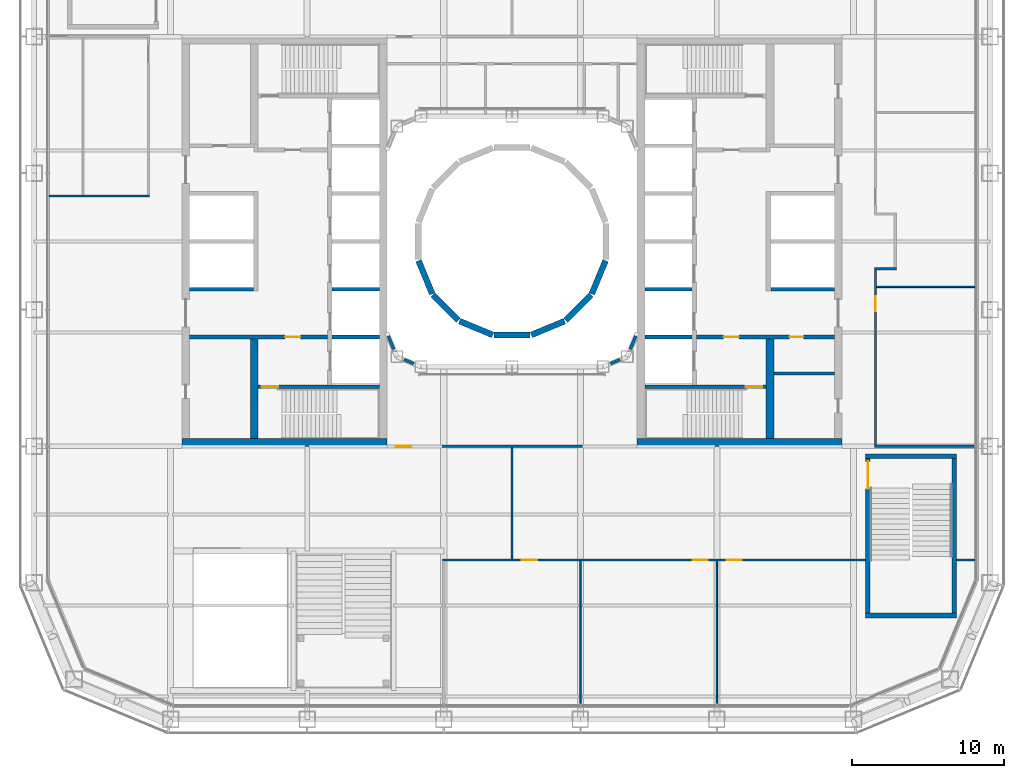
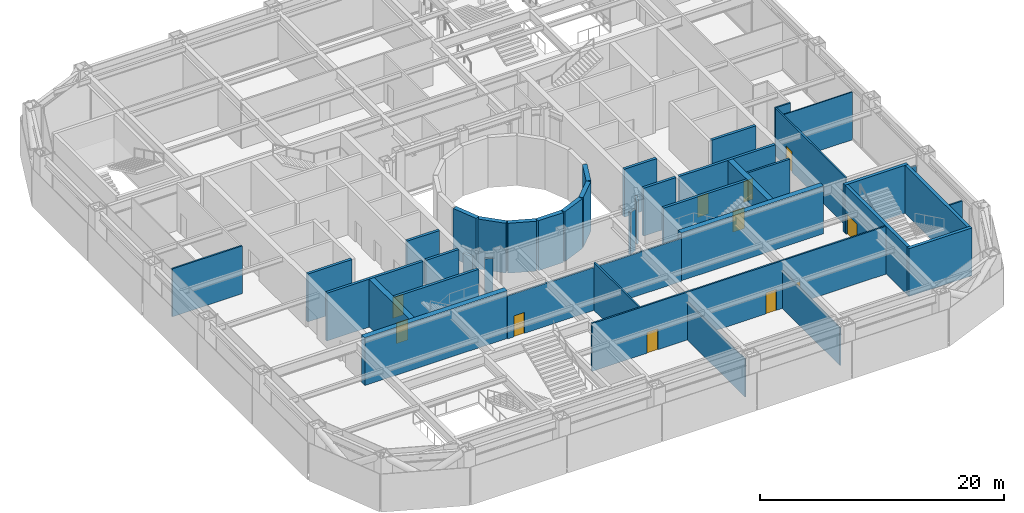
# One storey, part 12 of 25: 41 walls, 11 doors, 11 openings.
"""IFC4 building model written with IfcOpenShell, lengths in metres."""

from ifc_helpers import new_model, si_unit, direction, frame, frame_2d, origin, place, context, subcontext, project, spatial, rectangle, extrude, material, layer, layer_set, type_object, element, fill, save


model = new_model("IFC4")

# Units and contexts
model_context = context("Model", 3, precision=1e-05, world=origin(), true_north=direction((0.0, 1.0)))
body_context = subcontext(model_context, "Body", "Model", "MODEL_VIEW")
ifc_project = project(units=[si_unit("LENGTHUNIT", "METRE"), si_unit("AREAUNIT", "SQUARE_METRE"), si_unit("VOLUMEUNIT", "CUBIC_METRE"), si_unit("PLANEANGLEUNIT", "RADIAN"), si_unit("MASSUNIT", "GRAM", prefix="KILO")], contexts=[model_context])

# Site, building, storey
site_placement = place(None, origin())
site = spatial("IfcSite", under=ifc_project, at=site_placement, CompositionType="ELEMENT")
building_placement = place(site_placement, origin())
building = spatial("IfcBuilding", under=site, at=building_placement, Name="Siwar Civic Tower", CompositionType="ELEMENT")
storey_placement = place(building_placement, frame((0.0, 0.0, 7.199951171875)))
storey = spatial("IfcBuildingStorey", under=building, at=storey_placement, Name="L01", CompositionType="ELEMENT", Elevation=7.199951171875)

# Wall
ifc_material_1 = material(Name="Gypsum board on steel studs", Category="steel")
ifc_layer_1 = layer(ifc_material_1, 0.199951171875)
ifc_layer_set_1 = layer_set([ifc_layer_1], Name="Gypsum board on steel studs")
wall_type_1 = type_object("IfcWallType", Name="CORE-PARTITION-200", PredefinedType="PARTITIONING", material=ifc_layer_set_1)
wall_1_placement = place(storey_placement, frame((17.25, -8.699951171875, 0.0), z_axis=(0.0, 0.0, 1.0), x_axis=(1.0, 0.0, 0.0)))
element("IfcWall", 1, at=wall_1_placement, inside=storey, type_object=wall_type_1, Name="Core partition E", PredefinedType="PARTITIONING", context=body_context, shape_type="SweptSolid", body=[
    extrude(rectangle(XDim=4.0, YDim=0.199951171875, at=frame_2d((2.0, 0.0))), origin(), (0.0, 0.0, 1.0), 4.800048828125),
])

# Wall, opening, door
ifc_material_2 = material(Name="Concrete C60/75", Category="concrete")
ifc_layer_2 = layer(ifc_material_2, 0.25)
ifc_layer_set_2 = layer_set([ifc_layer_2], Name="Concrete C60/75")
wall_type_2 = type_object("IfcWallType", Name="CORE-WALL-RC250", PredefinedType="SHEAR", material=ifc_layer_set_2)
wall_2_placement = place(storey_placement, frame((-12.14990234375, -6.300048828125, 0.0), z_axis=(0.0, 0.0, 1.0), x_axis=(-1.0, 0.0, 0.0)))
wall_2 = element("IfcWall", 2, at=wall_2_placement, inside=storey, type_object=wall_type_2, Name="Core wall W", PredefinedType="SHEAR", context=body_context, shape_type="SweptSolid", body=[
    extrude(rectangle(XDim=9.10009765625, YDim=0.25, at=frame_2d((4.550048828125, 0.0))), origin(), (0.0, 0.0, 1.0), 4.800048828125),
])
opening_1_placement = place(wall_2_placement, frame((1.800048828125, 0.0, 0.0)))
opening_1 = element("IfcOpeningElement", 3, at=opening_1_placement, cuts=wall_2, Name="Opening L01-CW02", PredefinedType="OPENING", context=body_context, shape_type="SweptSolid", body=[
    extrude(rectangle(XDim=1.0, YDim=2.10009765625, at=frame_2d((0.5, 1.050048828125))), frame((0.0, 0.135009765625, 0.0), z_axis=(0.0, -1.0, 0.0), x_axis=(1.0, 0.0, 0.0)), (0.0, 0.0, 1.0), 0.27001953125),
])
ifc_material_3 = material(Name="Steel door leaf", Category="steel")
door_type_1 = type_object("IfcDoorType", Name="CORE-DOOR-FD30S", OperationType="SINGLE_SWING_LEFT", PredefinedType="DOOR", material=ifc_material_3)
door_1_placement = place(opening_1_placement, origin())
door_1 = element("IfcDoor", 4, at=door_1_placement, inside=storey, type_object=door_type_1, Name="Service lobby door L01-CW02", OperationType="SINGLE_SWING_RIGHT", OverallHeight=2.10009765625, OverallWidth=1.0, PredefinedType="DOOR", context=body_context, shape_type="SweptSolid", body=[
    extrude(rectangle(XDim=1.0, YDim=2.10009765625, at=frame_2d((0.5, 1.050048828125))), frame((0.0, 0.02490234375, 0.0), z_axis=(0.0, -1.0, 0.0), x_axis=(1.0, 0.0, 0.0)), (0.0, 0.0, 1.0), 0.050048828125),
])
fill(opening_1, door_1)

# Walls
wall_3_placement = place(storey_placement, frame((-17.050048828125, -3.14990234375, 0.0), z_axis=(0.0, 0.0, 1.0), x_axis=(-1.0, 0.0, 0.0)))
element("IfcWall", 5, at=wall_3_placement, inside=storey, type_object=wall_type_2, Name="Core wall W", PredefinedType="SHEAR", context=body_context, shape_type="SweptSolid", body=[
    extrude(rectangle(XDim=4.199951171875, YDim=0.25, at=frame_2d((2.10009765625, 0.0))), origin(), (0.0, 0.0, 1.0), 4.800048828125),
])
for number, where, z_axis, x_axis, name in (
    (6, (-8.75, -3.14990234375, 0.0), (0.0, 0.0, 1.0), (-1.0, 0.0, 0.0), "Core wall W"),
    (7, (-8.75, -6.300048828125, 0.0), (0.0, 0.0, 1.0), (-1.0, 0.0, 0.0), "Core wall W"),
):
    element("IfcWall", number, at=place(storey_placement, frame(where, z_axis=z_axis, x_axis=x_axis)), inside=storey, type_object=wall_type_2, Name=name, PredefinedType="SHEAR", context=body_context, shape_type="SweptSolid", body=[
        extrude(rectangle(XDim=3.10009765625, YDim=0.25, at=frame_2d((1.550048828125, 0.0))), origin(), (0.0, 0.0, 1.0), 4.800048828125),
    ])

# Wall, opening, door
wall_4_placement = place(storey_placement, frame((-8.75, -9.574951171875, 0.0), z_axis=(0.0, 0.0, 1.0), x_axis=(-1.0, 0.0, 0.0)))
wall_4 = element("IfcWall", 8, at=wall_4_placement, inside=storey, type_object=wall_type_2, Name="Core wall W", PredefinedType="SHEAR", context=body_context, shape_type="SweptSolid", body=[
    extrude(rectangle(XDim=8.0, YDim=0.25, at=frame_2d((4.0, 0.0))), origin(), (0.0, 0.0, 1.0), 4.800048828125),
])
opening_2_placement = place(wall_4_placement, frame((6.64990234375, 0.0, 0.0)))
opening_2 = element("IfcOpeningElement", 9, at=opening_2_placement, cuts=wall_4, Name="Opening L01-CW04", PredefinedType="OPENING", context=body_context, shape_type="SweptSolid", body=[
    extrude(rectangle(XDim=1.10009765625, YDim=2.10009765625, at=frame_2d((0.550048828125, 1.050048828125))), frame((0.0, 0.135009765625, 0.0), z_axis=(0.0, -1.0, 0.0), x_axis=(1.0, 0.0, 0.0)), (0.0, 0.0, 1.0), 0.27001953125),
])
ifc_material_4 = material(Name="Steel door leaf", Category="steel")
door_type_2 = type_object("IfcDoorType", Name="CORE-DOOR-FD60S", OperationType="SINGLE_SWING_LEFT", PredefinedType="DOOR", material=ifc_material_4)
door_2_placement = place(opening_2_placement, origin())
door_2 = element("IfcDoor", 10, at=door_2_placement, inside=storey, type_object=door_type_2, Name="Stair door L01-CW04", OperationType="SINGLE_SWING_LEFT", OverallHeight=2.10009765625, OverallWidth=1.10009765625, PredefinedType="DOOR", context=body_context, shape_type="SweptSolid", body=[
    extrude(rectangle(XDim=1.10009765625, YDim=2.10009765625, at=frame_2d((0.550048828125, 1.050048828125))), frame((0.0, 0.02490234375, 0.0), z_axis=(0.0, -1.0, 0.0), x_axis=(1.0, 0.0, 0.0)), (0.0, 0.0, 1.0), 0.050048828125),
])
fill(opening_2, door_2)

# Wall, openings, doors
wall_5_placement = place(storey_placement, frame((12.14990234375, -6.300048828125, 0.0), z_axis=(0.0, 0.0, 1.0), x_axis=(1.0, 0.0, 0.0)))
wall_5 = element("IfcWall", 11, at=wall_5_placement, inside=storey, type_object=wall_type_2, Name="Core wall E", PredefinedType="SHEAR", context=body_context, shape_type="SweptSolid", body=[
    extrude(rectangle(XDim=9.10009765625, YDim=0.25, at=frame_2d((4.550048828125, 0.0))), origin(), (0.0, 0.0, 1.0), 4.800048828125),
])
opening_3_placement = place(wall_5_placement, frame((1.800048828125, 0.0, 0.0)))
opening_3 = element("IfcOpeningElement", 12, at=opening_3_placement, cuts=wall_5, Name="Opening L01-CE02", PredefinedType="OPENING", context=body_context, shape_type="SweptSolid", body=[
    extrude(rectangle(XDim=1.0, YDim=2.10009765625, at=frame_2d((0.5, 1.050048828125))), frame((0.0, 0.135009765625, 0.0), z_axis=(0.0, -1.0, 0.0), x_axis=(1.0, 0.0, 0.0)), (0.0, 0.0, 1.0), 0.27001953125),
])
opening_4_placement = place(wall_5_placement, frame((6.14990234375, 0.0, 0.0)))
opening_4 = element("IfcOpeningElement", 13, at=opening_4_placement, cuts=wall_5, Name="Opening L01-CE14", PredefinedType="OPENING", context=body_context, shape_type="SweptSolid", body=[
    extrude(rectangle(XDim=0.89990234375, YDim=2.10009765625, at=frame_2d((0.449951171875, 1.050048828125))), frame((0.0, 0.135009765625, 0.0), z_axis=(0.0, -1.0, 0.0), x_axis=(1.0, 0.0, 0.0)), (0.0, 0.0, 1.0), 0.27001953125),
])
door_3_placement = place(opening_3_placement, origin())
door_3 = element("IfcDoor", 14, at=door_3_placement, inside=storey, type_object=door_type_1, Name="Service lobby door L01-CE02", OperationType="SINGLE_SWING_LEFT", OverallHeight=2.10009765625, OverallWidth=1.0, PredefinedType="DOOR", context=body_context, shape_type="SweptSolid", body=[
    extrude(rectangle(XDim=1.0, YDim=2.10009765625, at=frame_2d((0.5, 1.050048828125))), frame((0.0, 0.02490234375, 0.0), z_axis=(0.0, -1.0, 0.0), x_axis=(1.0, 0.0, 0.0)), (0.0, 0.0, 1.0), 0.050048828125),
])
fill(opening_3, door_3)
ifc_material_5 = material(Name="Steel door leaf", Category="steel")
door_type_3 = type_object("IfcDoorType", Name="CORE-DOOR-ROOM", OperationType="SINGLE_SWING_LEFT", PredefinedType="DOOR", material=ifc_material_5)
door_4_placement = place(opening_4_placement, origin())
door_4 = element("IfcDoor", 15, at=door_4_placement, inside=storey, type_object=door_type_3, Name="Core room door L01-CE14", OperationType="SINGLE_SWING_LEFT", OverallHeight=2.10009765625, OverallWidth=0.89990234375, PredefinedType="DOOR", context=body_context, shape_type="SweptSolid", body=[
    extrude(rectangle(XDim=0.89990234375, YDim=2.10009765625, at=frame_2d((0.449951171875, 1.050048828125))), frame((0.0, 0.02490234375, 0.0), z_axis=(0.0, -1.0, 0.0), x_axis=(1.0, 0.0, 0.0)), (0.0, 0.0, 1.0), 0.050048828125),
])
fill(opening_4, door_4)

# Walls
wall_6_placement = place(storey_placement, frame((17.050048828125, -3.14990234375, 0.0), z_axis=(0.0, 0.0, 1.0), x_axis=(1.0, 0.0, 0.0)))
element("IfcWall", 16, at=wall_6_placement, inside=storey, type_object=wall_type_2, Name="Core wall E", PredefinedType="SHEAR", context=body_context, shape_type="SweptSolid", body=[
    extrude(rectangle(XDim=4.199951171875, YDim=0.25, at=frame_2d((2.10009765625, 0.0))), origin(), (0.0, 0.0, 1.0), 4.800048828125),
])
for number, where, z_axis, x_axis, name in (
    (17, (8.75, -3.14990234375, 0.0), (0.0, 0.0, 1.0), (1.0, 0.0, 0.0), "Core wall E"),
    (18, (8.75, -6.300048828125, 0.0), (0.0, 0.0, 1.0), (1.0, 0.0, 0.0), "Core wall E"),
):
    element("IfcWall", number, at=place(storey_placement, frame(where, z_axis=z_axis, x_axis=x_axis)), inside=storey, type_object=wall_type_2, Name=name, PredefinedType="SHEAR", context=body_context, shape_type="SweptSolid", body=[
        extrude(rectangle(XDim=3.10009765625, YDim=0.25, at=frame_2d((1.550048828125, 0.0))), origin(), (0.0, 0.0, 1.0), 4.800048828125),
    ])

# Wall, opening, door
wall_7_placement = place(storey_placement, frame((8.75, -9.574951171875, 0.0), z_axis=(0.0, 0.0, 1.0), x_axis=(1.0, 0.0, 0.0)))
wall_7 = element("IfcWall", 19, at=wall_7_placement, inside=storey, type_object=wall_type_2, Name="Core wall E", PredefinedType="SHEAR", context=body_context, shape_type="SweptSolid", body=[
    extrude(rectangle(XDim=8.0, YDim=0.25, at=frame_2d((4.0, 0.0))), origin(), (0.0, 0.0, 1.0), 4.800048828125),
])
opening_5_placement = place(wall_7_placement, frame((6.64990234375, 0.0, 0.0)))
opening_5 = element("IfcOpeningElement", 20, at=opening_5_placement, cuts=wall_7, Name="Opening L01-CE04", PredefinedType="OPENING", context=body_context, shape_type="SweptSolid", body=[
    extrude(rectangle(XDim=1.10009765625, YDim=2.10009765625, at=frame_2d((0.550048828125, 1.050048828125))), frame((0.0, 0.135009765625, 0.0), z_axis=(0.0, -1.0, 0.0), x_axis=(1.0, 0.0, 0.0)), (0.0, 0.0, 1.0), 0.27001953125),
])
door_5_placement = place(opening_5_placement, origin())
door_5 = element("IfcDoor", 21, at=door_5_placement, inside=storey, type_object=door_type_2, Name="Stair door L01-CE04", OperationType="SINGLE_SWING_RIGHT", OverallHeight=2.10009765625, OverallWidth=1.10009765625, PredefinedType="DOOR", context=body_context, shape_type="SweptSolid", body=[
    extrude(rectangle(XDim=1.10009765625, YDim=2.10009765625, at=frame_2d((0.550048828125, 1.050048828125))), frame((0.0, 0.02490234375, 0.0), z_axis=(0.0, -1.0, 0.0), x_axis=(1.0, 0.0, 0.0)), (0.0, 0.0, 1.0), 0.050048828125),
])
fill(opening_5, door_5)

# Walls
ifc_material_6 = material(Name="Concrete C60/75", Category="concrete")
ifc_layer_3 = layer(ifc_material_6, 0.5)
ifc_layer_set_3 = layer_set([ifc_layer_3], Name="Concrete C60/75")
wall_type_3 = type_object("IfcWallType", Name="CORE-WALL-RC500", PredefinedType="SHEAR", material=ifc_layer_set_3)
wall_8_placement = place(storey_placement, frame((-17.0, -13.0, 0.0), z_axis=(0.0, 0.0, 1.0), x_axis=(0.0, 1.0, 0.0)))
element("IfcWall", 22, at=wall_8_placement, inside=storey, type_object=wall_type_3, Name="Core wall W", PredefinedType="SHEAR", context=body_context, shape_type="SweptSolid", body=[
    extrude(rectangle(XDim=6.574951171875, YDim=0.5, at=frame_2d((3.28759765625, 0.0))), origin(), (0.0, 0.0, 1.0), 4.800048828125),
])
wall_9_placement = place(storey_placement, frame((-8.25, -13.25, 0.0), z_axis=(0.0, 0.0, 1.0), x_axis=(-1.0, 0.0, 0.0)))
element("IfcWall", 23, at=wall_9_placement, inside=storey, type_object=wall_type_3, Name="Core wall W", PredefinedType="SHEAR", context=body_context, shape_type="SweptSolid", body=[
    extrude(rectangle(XDim=13.5, YDim=0.5, at=frame_2d((6.75, 0.0))), origin(), (0.0, 0.0, 1.0), 4.800048828125),
])
wall_10_placement = place(storey_placement, frame((17.0, -13.0, 0.0), z_axis=(0.0, 0.0, 1.0), x_axis=(0.0, 1.0, 0.0)))
element("IfcWall", 24, at=wall_10_placement, inside=storey, type_object=wall_type_3, Name="Core wall E", PredefinedType="SHEAR", context=body_context, shape_type="SweptSolid", body=[
    extrude(rectangle(XDim=6.574951171875, YDim=0.5, at=frame_2d((3.28759765625, 0.0))), origin(), (0.0, 0.0, 1.0), 4.800048828125),
])
wall_11_placement = place(storey_placement, frame((8.25, -13.25, 0.0), z_axis=(0.0, 0.0, 1.0), x_axis=(1.0, 0.0, 0.0)))
element("IfcWall", 25, at=wall_11_placement, inside=storey, type_object=wall_type_3, Name="Core wall E", PredefinedType="SHEAR", context=body_context, shape_type="SweptSolid", body=[
    extrude(rectangle(XDim=13.5, YDim=0.5, at=frame_2d((6.75, 0.0))), origin(), (0.0, 0.0, 1.0), 4.800048828125),
])

# Wall, openings, doors
ifc_material_7 = material(Name="Gypsum board on steel studs", Category="steel")
ifc_layer_4 = layer(ifc_material_7, 0.14990234375)
ifc_layer_set_4 = layer_set([ifc_layer_4], Name="Gypsum board on steel studs")
wall_type_4 = type_object("IfcWallType", Name="CORRIDOR PARTITION 150 EI 30", PredefinedType="PARTITIONING", material=ifc_layer_set_4)
wall_12_placement = place(storey_placement, frame((-4.574951171875, -21.0, 0.0), z_axis=(0.0, 0.0, 1.0), x_axis=(1.0, 0.0, 0.0)))
wall_12 = element("IfcWall", 26, at=wall_12_placement, inside=storey, type_object=wall_type_4, Name="L01/wall/P01", PredefinedType="PARTITIONING", context=body_context, shape_type="SweptSolid", body=[
    extrude(rectangle(XDim=27.875, YDim=0.14990234375, at=frame_2d((13.9375, 0.0))), origin(), (0.0, 0.0, 1.0), 4.800048828125),
])
opening_6_placement = place(wall_12_placement, frame((5.22509765625, 0.0, 0.0)))
opening_6 = element("IfcOpeningElement", 27, at=opening_6_placement, cuts=wall_12, Name="Opening D1", PredefinedType="OPENING", context=body_context, shape_type="SweptSolid", body=[
    extrude(rectangle(XDim=1.0, YDim=2.10009765625, at=frame_2d((0.5, 1.050048828125))), frame((0.0, 0.0849609375, 0.0), z_axis=(0.0, -1.0, 0.0), x_axis=(1.0, 0.0, 0.0)), (0.0, 0.0, 1.0), 0.169921875),
])
opening_7_placement = place(wall_12_placement, frame((16.47509765625, 0.0, 0.0)))
opening_7 = element("IfcOpeningElement", 28, at=opening_7_placement, cuts=wall_12, Name="Opening D1", PredefinedType="OPENING", context=body_context, shape_type="SweptSolid", body=[
    extrude(rectangle(XDim=1.0, YDim=2.10009765625, at=frame_2d((0.5, 1.050048828125))), frame((0.0, 0.0849609375, 0.0), z_axis=(0.0, -1.0, 0.0), x_axis=(1.0, 0.0, 0.0)), (0.0, 0.0, 1.0), 0.169921875),
])
opening_8_placement = place(wall_12_placement, frame((18.72509765625, 0.0, 0.0)))
opening_8 = element("IfcOpeningElement", 29, at=opening_8_placement, cuts=wall_12, Name="Opening D1", PredefinedType="OPENING", context=body_context, shape_type="SweptSolid", body=[
    extrude(rectangle(XDim=1.0, YDim=2.10009765625, at=frame_2d((0.5, 1.050048828125))), frame((0.0, 0.0849609375, 0.0), z_axis=(0.0, -1.0, 0.0), x_axis=(1.0, 0.0, 0.0)), (0.0, 0.0, 1.0), 0.169921875),
])
ifc_material_8 = material(Name="Timber, painted", Category="wood")
door_type_4 = type_object("IfcDoorType", Name="DOOR 1000 X 2100 FD30", OperationType="SINGLE_SWING_LEFT", PredefinedType="DOOR", material=ifc_material_8)
door_6_placement = place(opening_6_placement, origin())
door_6 = element("IfcDoor", 30, at=door_6_placement, inside=storey, type_object=door_type_4, Name="L01-D05", OperationType="SINGLE_SWING_LEFT", OverallHeight=2.10009765625, OverallWidth=1.0, PredefinedType="DOOR", context=body_context, shape_type="SweptSolid", body=[
    extrude(rectangle(XDim=1.0, YDim=2.10009765625, at=frame_2d((0.5, 1.050048828125))), frame((0.0, 0.02490234375, 0.0), z_axis=(0.0, -1.0, 0.0), x_axis=(1.0, 0.0, 0.0)), (0.0, 0.0, 1.0), 0.050048828125),
])
fill(opening_6, door_6)
door_7_placement = place(opening_7_placement, origin())
door_7 = element("IfcDoor", 31, at=door_7_placement, inside=storey, type_object=door_type_4, Name="L01-D06", OperationType="SINGLE_SWING_RIGHT", OverallHeight=2.10009765625, OverallWidth=1.0, PredefinedType="DOOR", context=body_context, shape_type="SweptSolid", body=[
    extrude(rectangle(XDim=1.0, YDim=2.10009765625, at=frame_2d((0.5, 1.050048828125))), frame((0.0, 0.02490234375, 0.0), z_axis=(0.0, -1.0, 0.0), x_axis=(1.0, 0.0, 0.0)), (0.0, 0.0, 1.0), 0.050048828125),
])
fill(opening_7, door_7)
door_8_placement = place(opening_8_placement, origin())
door_8 = element("IfcDoor", 32, at=door_8_placement, inside=storey, type_object=door_type_4, Name="L01-D07", OperationType="SINGLE_SWING_LEFT", OverallHeight=2.10009765625, OverallWidth=1.0, PredefinedType="DOOR", context=body_context, shape_type="SweptSolid", body=[
    extrude(rectangle(XDim=1.0, YDim=2.10009765625, at=frame_2d((0.5, 1.050048828125))), frame((0.0, 0.02490234375, 0.0), z_axis=(0.0, -1.0, 0.0), x_axis=(1.0, 0.0, 0.0)), (0.0, 0.0, 1.0), 0.050048828125),
])
fill(opening_8, door_8)

# Wall
wall_13_placement = place(storey_placement, frame((29.300048828125, -21.0, 0.0), z_axis=(0.0, 0.0, 1.0), x_axis=(1.0, 0.0, 0.0)))
element("IfcWall", 33, at=wall_13_placement, inside=storey, type_object=wall_type_4, Name="L01/wall/P02", PredefinedType="PARTITIONING", context=body_context, shape_type="SweptSolid", body=[
    extrude(rectangle(XDim=1.2099609375, YDim=0.14990234375, at=frame_2d((0.60498046875, 0.0))), origin(), (0.0, 0.0, 1.0), 4.800048828125),
])

# Wall, opening, door
wall_14_placement = place(storey_placement, frame((-8.25, -13.5, 0.0), z_axis=(0.0, 0.0, 1.0), x_axis=(1.0, 0.0, 0.0)))
wall_14 = element("IfcWall", 34, at=wall_14_placement, inside=storey, type_object=wall_type_4, Name="L01/wall/P03", PredefinedType="PARTITIONING", context=body_context, shape_type="SweptSolid", body=[
    extrude(rectangle(XDim=16.5, YDim=0.14990234375, at=frame_2d((8.25, 0.0))), origin(), (0.0, 0.0, 1.0), 4.300048828125),
])
opening_9_placement = place(wall_14_placement, frame((0.60009765625, 0.0, 0.0)))
opening_9 = element("IfcOpeningElement", 35, at=opening_9_placement, cuts=wall_14, Name="Opening D1", PredefinedType="OPENING", context=body_context, shape_type="SweptSolid", body=[
    extrude(rectangle(XDim=1.0, YDim=2.10009765625, at=frame_2d((0.5, 1.050048828125))), frame((0.0, 0.0849609375, 0.0), z_axis=(0.0, -1.0, 0.0), x_axis=(1.0, 0.0, 0.0)), (0.0, 0.0, 1.0), 0.169921875),
])
door_9_placement = place(opening_9_placement, origin())
door_9 = element("IfcDoor", 36, at=door_9_placement, inside=storey, type_object=door_type_4, Name="L01-D08", OperationType="SINGLE_SWING_RIGHT", OverallHeight=2.10009765625, OverallWidth=1.0, PredefinedType="DOOR", context=body_context, shape_type="SweptSolid", body=[
    extrude(rectangle(XDim=1.0, YDim=2.10009765625, at=frame_2d((0.5, 1.050048828125))), frame((0.0, 0.02490234375, 0.0), z_axis=(0.0, -1.0, 0.0), x_axis=(1.0, 0.0, 0.0)), (0.0, 0.0, 1.0), 0.050048828125),
])
fill(opening_9, door_9)

# Walls
wall_15_placement = place(storey_placement, frame((23.875, -13.5, 0.0), z_axis=(0.0, 0.0, 1.0), x_axis=(1.0, 0.0, 0.0)))
element("IfcWall", 37, at=wall_15_placement, inside=storey, type_object=wall_type_4, Name="L01/wall/P04", PredefinedType="PARTITIONING", context=body_context, shape_type="SweptSolid", body=[
    extrude(rectangle(XDim=6.635009765625, YDim=0.14990234375, at=frame_2d((3.3173828125, 0.0))), origin(), (0.0, 0.0, 1.0), 3.800048828125),
])
wall_16_placement = place(storey_placement, frame((23.875, -1.800048828125, 0.0), z_axis=(0.0, 0.0, 1.0), x_axis=(1.0, 0.0, 0.0)))
element("IfcWall", 38, at=wall_16_placement, inside=storey, type_object=wall_type_4, Name="L01/wall/P06", PredefinedType="PARTITIONING", context=body_context, shape_type="SweptSolid", body=[
    extrude(rectangle(XDim=1.449951171875, YDim=0.14990234375, at=frame_2d((0.72509765625, 0.0))), origin(), (0.0, 0.0, 1.0), 4.800048828125),
])
wall_17_placement = place(storey_placement, frame((-30.510009765625, 3.0, 0.0), z_axis=(0.0, 0.0, 1.0), x_axis=(1.0, 0.0, 0.0)))
element("IfcWall", 39, at=wall_17_placement, inside=storey, type_object=wall_type_4, Name="L01/wall/P08", PredefinedType="PARTITIONING", context=body_context, shape_type="SweptSolid", body=[
    extrude(rectangle(XDim=6.635009765625, YDim=0.14990234375, at=frame_2d((3.3173828125, 0.0))), origin(), (0.0, 0.0, 1.0), 4.800048828125),
])
wall_18_placement = place(storey_placement, frame((0.0, -20.925048828125, 0.0), z_axis=(0.0, 0.0, 1.0), x_axis=(0.0, 1.0, 0.0)))
element("IfcWall", 40, at=wall_18_placement, inside=storey, type_object=wall_type_4, Name="L01/wall/P24", PredefinedType="PARTITIONING", context=body_context, shape_type="SweptSolid", body=[
    extrude(rectangle(XDim=7.35009765625, YDim=0.14990234375, at=frame_2d((3.675048828125, 0.0))), origin(), (0.0, 0.0, 1.0), 4.800048828125),
])

# Wall, opening, door
wall_19_placement = place(storey_placement, frame((23.949951171875, -13.425048828125, 0.0), z_axis=(0.0, 0.0, 1.0), x_axis=(0.0, 1.0, 0.0)))
wall_19 = element("IfcWall", 41, at=wall_19_placement, inside=storey, type_object=wall_type_4, Name="L01/wall/P32", PredefinedType="PARTITIONING", context=body_context, shape_type="SweptSolid", body=[
    extrude(rectangle(XDim=11.550048828125, YDim=0.14990234375, at=frame_2d((5.77490234375, 0.0))), origin(), (0.0, 0.0, 1.0), 4.800048828125),
])
opening_10_placement = place(wall_19_placement, frame((8.824951171875, 0.0, 0.0)))
opening_10 = element("IfcOpeningElement", 42, at=opening_10_placement, cuts=wall_19, Name="Opening D1", PredefinedType="OPENING", context=body_context, shape_type="SweptSolid", body=[
    extrude(rectangle(XDim=1.0, YDim=2.10009765625, at=frame_2d((0.5, 1.050048828125))), frame((0.0, 0.0849609375, 0.0), z_axis=(0.0, -1.0, 0.0), x_axis=(1.0, 0.0, 0.0)), (0.0, 0.0, 1.0), 0.169921875),
])
door_10_placement = place(opening_10_placement, origin())
door_10 = element("IfcDoor", 43, at=door_10_placement, inside=storey, type_object=door_type_4, Name="L01-D16", OperationType="SINGLE_SWING_RIGHT", OverallHeight=2.10009765625, OverallWidth=1.0, PredefinedType="DOOR", context=body_context, shape_type="SweptSolid", body=[
    extrude(rectangle(XDim=1.0, YDim=2.10009765625, at=frame_2d((0.5, 1.050048828125))), frame((0.0, 0.02490234375, 0.0), z_axis=(0.0, -1.0, 0.0), x_axis=(1.0, 0.0, 0.0)), (0.0, 0.0, 1.0), 0.050048828125),
])
fill(opening_10, door_10)

# Walls
ifc_material_9 = material(Name="Aluminium clad insulated panel", Category="aluminium")
ifc_layer_5 = layer(ifc_material_9, 0.199951171875)
ifc_layer_set_5 = layer_set([ifc_layer_5], Name="Aluminium clad insulated panel")
wall_type_5 = type_object("IfcWallType", Name="ENV-WALL-WELL", PredefinedType="STANDARD", material=ifc_layer_set_5)
wall_20_placement = place(storey_placement, frame((6.48291015625, -8.050048828125, 0.0), z_axis=(0.0, 0.0, 1.0), x_axis=(0.923854141361, 0.382744726273, 0.0)))
element("IfcWall", 44, at=wall_20_placement, inside=storey, type_object=wall_type_5, Name="Light well corner wall SE1", PredefinedType="STANDARD", context=body_context, shape_type="SweptSolid", body=[
    extrude(rectangle(XDim=0.6767578125, YDim=0.199951171875, at=frame_2d((0.33837890625, 0.0))), origin(), (0.0, 0.0, 1.0), 4.179931640625),
])
for number, where, z_axis, x_axis, name in (
    (45, (7.791015625, -7.108154296875, 0.0), (0.0, 0.0, 1.0), (0.382624318388, 0.923904016107, 0.0), "Light well corner wall SE2"),
    (46, (-8.154296875, -6.23095703125, 0.0), (0.0, 0.0, 1.0), (0.382624318388, -0.923904016107, 0.0), "Light well corner wall SW1"),
):
    element("IfcWall", number, at=place(storey_placement, frame(where, z_axis=z_axis, x_axis=x_axis)), inside=storey, type_object=wall_type_5, Name=name, PredefinedType="STANDARD", context=body_context, shape_type="SweptSolid", body=[
        extrude(rectangle(XDim=0.949462890625, YDim=0.199951171875, at=frame_2d((0.474609375, 0.0))), origin(), (0.0, 0.0, 1.0), 4.179931640625),
    ])
wall_21_placement = place(storey_placement, frame((-7.108154296875, -7.791015625, 0.0), z_axis=(0.0, 0.0, 1.0), x_axis=(0.923854141361, -0.382744726273, 0.0)))
element("IfcWall", 47, at=wall_21_placement, inside=storey, type_object=wall_type_5, Name="Light well corner wall SW2", PredefinedType="STANDARD", context=body_context, shape_type="SweptSolid", body=[
    extrude(rectangle(XDim=0.6767578125, YDim=0.199951171875, at=frame_2d((0.33837890625, 0.0))), origin(), (0.0, 0.0, 1.0), 4.179931640625),
])
ifc_material_10 = material(Name="Concrete C60/75", Category="concrete")
ifc_layer_6 = layer(ifc_material_10, 0.39990234375)
ifc_layer_set_6 = layer_set([ifc_layer_6], Name="Concrete C60/75")
wall_type_6 = type_object("IfcWallType", Name="GND-DRUMWALL", PredefinedType="SOLIDWALL", material=ifc_layer_set_6)
wall_22_placement = place(storey_placement, frame((-6.163330078125, -1.266845703125, 0.0), z_axis=(0.0, 0.0, 1.0), x_axis=(0.382681453552, -0.92388035216, 0.0)))
element("IfcWall", 48, at=wall_22_placement, inside=storey, type_object=wall_type_6, Name="L01/wall/drum-09", PredefinedType="SOLIDWALL", context=body_context, shape_type="SweptSolid", body=[
    extrude(rectangle(XDim=2.37646484375, YDim=0.39990234375, at=frame_2d((1.188232421875, 0.0))), origin(), (0.0, 0.0, 1.0), 5.0),
])
wall_23_placement = place(storey_placement, frame((-5.20947265625, -3.52880859375, 0.0), z_axis=(0.0, 0.0, 1.0), x_axis=(0.707106781187, -0.707106781187, 0.0)))
element("IfcWall", 49, at=wall_23_placement, inside=storey, type_object=wall_type_6, Name="L01/wall/drum-10", PredefinedType="SOLIDWALL", context=body_context, shape_type="SweptSolid", body=[
    extrude(rectangle(XDim=2.376708984375, YDim=0.39990234375, at=frame_2d((1.1884765625, 0.0))), origin(), (0.0, 0.0, 1.0), 5.0),
])
for number, where, z_axis, x_axis, name in (
    (50, (-3.46240234375, -5.25390625, 0.0), (0.0, 0.0, 1.0), (0.92388035216, -0.382681453552, 0.0), "L01/wall/drum-11"),
    (51, (-1.188232421875, -6.178955078125, 0.0), (0.0, 0.0, 1.0), (1.0, 0.0, 0.0), "L01/wall/drum-12"),
    (52, (1.266845703125, -6.163330078125, 0.0), (0.0, 0.0, 1.0), (0.92388035216, 0.382681453552, 0.0), "L01/wall/drum-13"),
):
    element("IfcWall", number, at=place(storey_placement, frame(where, z_axis=z_axis, x_axis=x_axis)), inside=storey, type_object=wall_type_6, Name=name, PredefinedType="SOLIDWALL", context=body_context, shape_type="SweptSolid", body=[
        extrude(rectangle(XDim=2.37646484375, YDim=0.39990234375, at=frame_2d((1.188232421875, 0.0))), origin(), (0.0, 0.0, 1.0), 5.0),
    ])
wall_24_placement = place(storey_placement, frame((3.52880859375, -5.20947265625, 0.0), z_axis=(0.0, 0.0, 1.0), x_axis=(0.707106781187, 0.707106781187, 0.0)))
element("IfcWall", 53, at=wall_24_placement, inside=storey, type_object=wall_type_6, Name="L01/wall/drum-14", PredefinedType="SOLIDWALL", context=body_context, shape_type="SweptSolid", body=[
    extrude(rectangle(XDim=2.376708984375, YDim=0.39990234375, at=frame_2d((1.1884765625, 0.0))), origin(), (0.0, 0.0, 1.0), 5.0),
])
wall_25_placement = place(storey_placement, frame((5.25390625, -3.46240234375, 0.0), z_axis=(0.0, 0.0, 1.0), x_axis=(0.382681453552, 0.92388035216, 0.0)))
element("IfcWall", 54, at=wall_25_placement, inside=storey, type_object=wall_type_6, Name="L01/wall/drum-15", PredefinedType="SOLIDWALL", context=body_context, shape_type="SweptSolid", body=[
    extrude(rectangle(XDim=2.37646484375, YDim=0.39990234375, at=frame_2d((1.188232421875, 0.0))), origin(), (0.0, 0.0, 1.0), 5.0),
])

# Wall, opening, door
ifc_material_11 = material(Name="Concrete C60/75", Category="concrete")
ifc_layer_7 = layer(ifc_material_11, 0.300048828125)
ifc_layer_set_7 = layer_set([ifc_layer_7], Name="Concrete C60/75")
wall_type_7 = type_object("IfcWallType", Name="GND-ES-WALL", PredefinedType="SHEAR", material=ifc_layer_set_7)
wall_26_placement = place(storey_placement, frame((23.449951171875, -14.300048828125, 0.0), z_axis=(0.0, 0.0, 1.0), x_axis=(0.0, -1.0, 0.0)))
wall_26 = element("IfcWall", 55, at=wall_26_placement, inside=storey, type_object=wall_type_7, Name="Stair wall ST6", PredefinedType="SHEAR", context=body_context, shape_type="SweptSolid", body=[
    extrude(rectangle(XDim=10.199951171875, YDim=0.300048828125, at=frame_2d((5.10009765625, 0.0))), origin(), (0.0, 0.0, 1.0), 4.800048828125),
])
opening_11_placement = place(wall_26_placement, frame((0.199951171875, 0.0, 0.0)))
opening_11 = element("IfcOpeningElement", 56, at=opening_11_placement, cuts=wall_26, Name="Opening SX1", PredefinedType="OPENING", context=body_context, shape_type="SweptSolid", body=[
    extrude(rectangle(XDim=1.800048828125, YDim=2.10009765625, at=frame_2d((0.89990234375, 1.050048828125))), frame((0.0, 0.16015625, 0.0), z_axis=(0.0, -1.0, 0.0), x_axis=(1.0, 0.0, 0.0)), (0.0, 0.0, 1.0), 0.320068359375),
])
ifc_material_12 = material(Name="Steel door leaf", Category="steel")
door_type_5 = type_object("IfcDoorType", Name="GND-ES-DOOR", OperationType="DOUBLE_DOOR_SINGLE_SWING", PredefinedType="DOOR", material=ifc_material_12)
door_11_placement = place(opening_11_placement, origin())
door_11 = element("IfcDoor", 57, at=door_11_placement, inside=storey, type_object=door_type_5, Name="Stair door ST6", OperationType="DOUBLE_DOOR_SINGLE_SWING", OverallHeight=2.10009765625, OverallWidth=1.800048828125, PredefinedType="DOOR", context=body_context, shape_type="SweptSolid", body=[
    extrude(rectangle(XDim=1.800048828125, YDim=2.10009765625, at=frame_2d((0.89990234375, 1.050048828125))), frame((0.0, 0.02490234375, 0.0), z_axis=(0.0, -1.0, 0.0), x_axis=(1.0, 0.0, 0.0)), (0.0, 0.0, 1.0), 0.050048828125),
])
fill(opening_11, door_11)

# Walls
for number, where, z_axis, x_axis, name in (
    (58, (29.300048828125, -24.64990234375, 0.0), (0.0, 0.0, 1.0), (-1.0, 0.0, 0.0), "Stair wall ST6"),
    (59, (29.300048828125, -14.14990234375, 0.0), (0.0, 0.0, 1.0), (-1.0, 0.0, 0.0), "Stair wall ST6"),
):
    element("IfcWall", number, at=place(storey_placement, frame(where, z_axis=z_axis, x_axis=x_axis)), inside=storey, type_object=wall_type_7, Name=name, PredefinedType="SHEAR", context=body_context, shape_type="SweptSolid", body=[
        extrude(rectangle(XDim=6.0, YDim=0.300048828125, at=frame_2d((3.0, 0.0))), origin(), (0.0, 0.0, 1.0), 4.800048828125),
    ])
wall_27_placement = place(storey_placement, frame((29.14990234375, -14.300048828125, 0.0), z_axis=(0.0, 0.0, 1.0), x_axis=(0.0, -1.0, 0.0)))
element("IfcWall", 60, at=wall_27_placement, inside=storey, type_object=wall_type_7, Name="Stair wall ST6", PredefinedType="SHEAR", context=body_context, shape_type="SweptSolid", body=[
    extrude(rectangle(XDim=10.199951171875, YDim=0.300048828125, at=frame_2d((5.10009765625, 0.0))), origin(), (0.0, 0.0, 1.0), 4.800048828125),
])
ifc_material_13 = material(Name="Gypsum board on steel studs", Category="steel")
ifc_layer_8 = layer(ifc_material_13, 0.10009765625)
ifc_layer_set_8 = layer_set([ifc_layer_8], Name="Gypsum board on steel studs")
wall_type_8 = type_object("IfcWallType", Name="PARTITION 100 GYPSUM", PredefinedType="PARTITIONING", material=ifc_layer_set_8)
wall_28_placement = place(storey_placement, frame((24.02490234375, -3.0, 0.0), z_axis=(0.0, 0.0, 1.0), x_axis=(1.0, 0.0, 0.0)))
element("IfcWall", 61, at=wall_28_placement, inside=storey, type_object=wall_type_8, Name="L01/wall/P05", PredefinedType="PARTITIONING", context=body_context, shape_type="SweptSolid", body=[
    extrude(rectangle(XDim=6.485107421875, YDim=0.10009765625, at=frame_2d((3.24267578125, 0.0))), origin(), (0.0, 0.0, 1.0), 4.800048828125),
])
for number, where, z_axis, x_axis, name in (
    (62, (4.5, -30.510009765625, 0.0), (0.0, 0.0, 1.0), (0.0, 1.0, 0.0), "L01/wall/P26"),
    (63, (13.5, -30.510009765625, 0.0), (0.0, 0.0, 1.0), (0.0, 1.0, 0.0), "L01/wall/P30"),
):
    element("IfcWall", number, at=place(storey_placement, frame(where, z_axis=z_axis, x_axis=x_axis)), inside=storey, type_object=wall_type_8, Name=name, PredefinedType="PARTITIONING", context=body_context, shape_type="SweptSolid", body=[
        extrude(rectangle(XDim=9.43505859375, YDim=0.10009765625, at=frame_2d((4.717529296875, 0.0))), origin(), (0.0, 0.0, 1.0), 3.800048828125),
    ])

save(model, "model.ifc")
